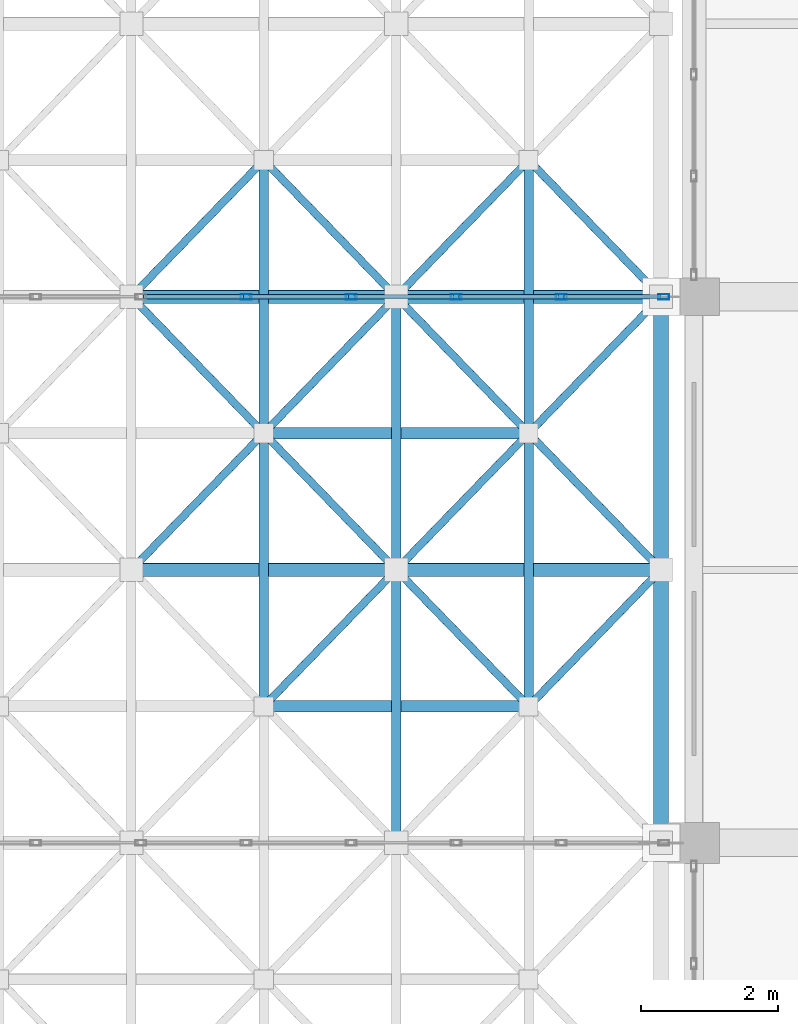
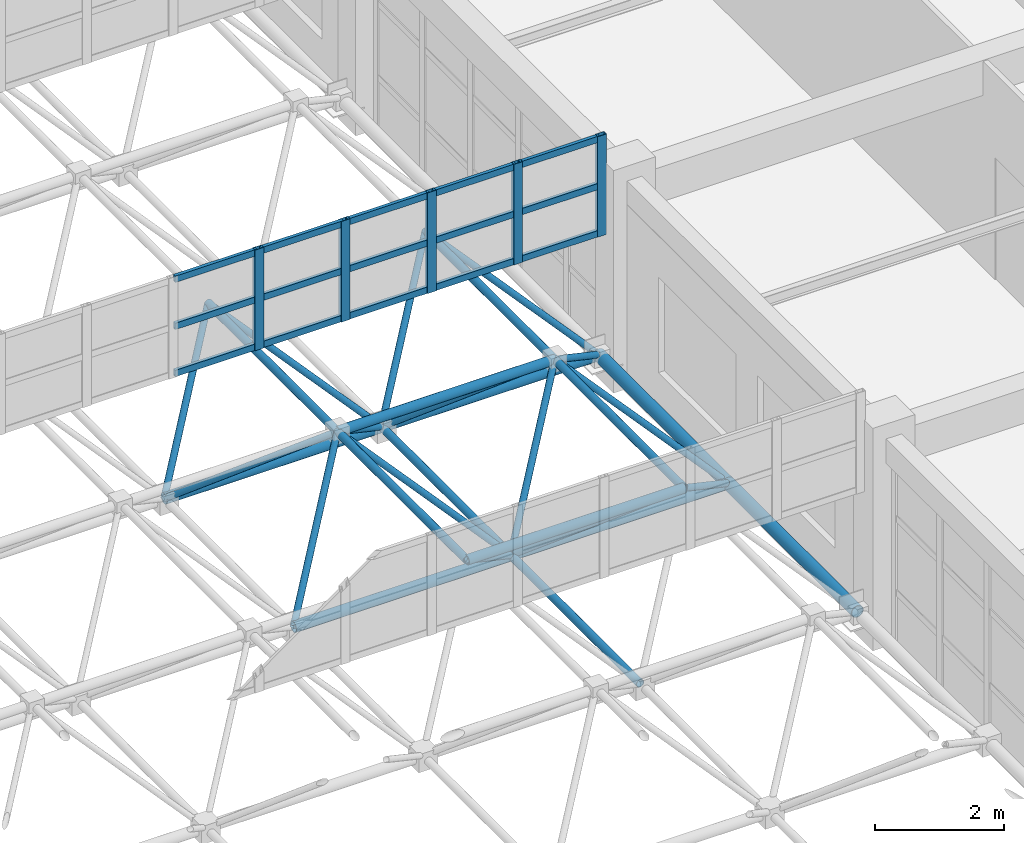
# One storey, part 62 of 195: 49 members, 1 element without a shape of its own.
"""IFC4 building model written with IfcOpenShell, lengths in metres."""

from ifc_helpers import new_model, si_unit, direction, frame, origin, origin_2d, place, context, subcontext, project, spatial, hollow_rectangle, hollow_circle, extrude, material, material_profile, profile_set, type_object, element, aggregate, save


model = new_model("IFC4")

# Units and contexts
model_context = context("Model", 3, precision=1e-05, world=origin(), true_north=direction((0.0, 1.0)))
body_context = subcontext(model_context, "Body", "Model", "MODEL_VIEW")
ifc_project = project(units=[si_unit("LENGTHUNIT", "METRE"), si_unit("AREAUNIT", "SQUARE_METRE"), si_unit("VOLUMEUNIT", "CUBIC_METRE"), si_unit("PLANEANGLEUNIT", "RADIAN"), si_unit("MASSUNIT", "GRAM", prefix="KILO")], contexts=[model_context])

# Site, building, storey
site_placement = place(None, origin())
site = spatial("IfcSite", under=ifc_project, at=site_placement, CompositionType="ELEMENT")
building_placement = place(site_placement, origin())
building = spatial("IfcBuilding", under=site, at=building_placement, Name="Kharva Crest Polytechnic", CompositionType="ELEMENT")
storey_placement = place(building_placement, frame((0.0, 0.0, 9.0)))
storey = spatial("IfcBuildingStorey", under=building, at=storey_placement, Name="L02", CompositionType="ELEMENT", Elevation=9.0)

# Curtain wall, members
ifc_material_1 = material(Name="Tempered insulated glass", Category="glass")
curtain_wall_type = type_object("IfcCurtainWallType", Name="CW-SYS-NORTHLIGHT", PredefinedType="USERDEFINED", material=ifc_material_1)
curtain_wall_placement = place(storey_placement, origin())
curtain_wall = element("IfcCurtainWall", 1, at=curtain_wall_placement, inside=storey, type_object=curtain_wall_type, Name="L02 Glazed Curtain Wall CW-194", ObjectType="CURTAIN WALL", PredefinedType="USERDEFINED")
ifc_material_2 = material(Name="Steel S355", Category="steel")
ifc_material_profile_1 = material_profile(ifc_material_2, hollow_rectangle(XDim=0.080078125, YDim=0.159912109375, WallThickness=0.0048828125, at=origin_2d()), Name="RHS 160X80X5.0")
ifc_profile_set_1 = profile_set([ifc_material_profile_1], Name="Steel S355")
member_type_1 = type_object("IfcMemberType", Name="CWM-RHS160X80", PredefinedType="MULLION", material=ifc_profile_set_1)
member_1_placement = place(storey_placement, frame((25.43994140625, 62.800048828125, 2.85009765625), z_axis=(0.0, 0.0, 1.0), x_axis=(0.0, 1.0, 0.0)))
member_1 = element("IfcMember", 2, at=member_1_placement, type_object=member_type_1, Name="CW-194 mullion 7", PredefinedType="MULLION", context=body_context, shape_type="SweptSolid", body=[
    extrude(hollow_rectangle(XDim=0.080078125, YDim=0.159912109375, WallThickness=0.0048828125, at=origin_2d()), origin(), (0.0, 0.0, 1.0), 1.89990234375),
])
member_2_placement = place(storey_placement, frame((26.97998046875, 62.800048828125, 2.85009765625), z_axis=(0.0, 0.0, 1.0), x_axis=(0.0, 1.0, 0.0)))
member_2 = element("IfcMember", 3, at=member_2_placement, type_object=member_type_1, Name="CW-194 mullion 8", PredefinedType="MULLION", context=body_context, shape_type="SweptSolid", body=[
    extrude(hollow_rectangle(XDim=0.080078125, YDim=0.159912109375, WallThickness=0.0048828125, at=origin_2d()), origin(), (0.0, 0.0, 1.0), 1.89990234375),
])
member_3_placement = place(storey_placement, frame((28.52001953125, 62.800048828125, 2.85009765625), z_axis=(0.0, 0.0, 1.0), x_axis=(0.0, 1.0, 0.0)))
member_3 = element("IfcMember", 4, at=member_3_placement, type_object=member_type_1, Name="CW-194 mullion 9", PredefinedType="MULLION", context=body_context, shape_type="SweptSolid", body=[
    extrude(hollow_rectangle(XDim=0.080078125, YDim=0.159912109375, WallThickness=0.0048828125, at=origin_2d()), origin(), (0.0, 0.0, 1.0), 1.89990234375),
])
member_4_placement = place(storey_placement, frame((30.06005859375, 62.800048828125, 2.85009765625), z_axis=(0.0, 0.0, 1.0), x_axis=(0.0, 1.0, 0.0)))
member_4 = element("IfcMember", 5, at=member_4_placement, type_object=member_type_1, Name="CW-194 mullion 10", PredefinedType="MULLION", context=body_context, shape_type="SweptSolid", body=[
    extrude(hollow_rectangle(XDim=0.080078125, YDim=0.159912109375, WallThickness=0.0048828125, at=origin_2d()), origin(), (0.0, 0.0, 1.0), 1.89990234375),
])
member_5_placement = place(storey_placement, frame((31.56005859375, 62.800048828125, 2.85009765625), z_axis=(0.0, 0.0, 1.0), x_axis=(0.0, 1.0, 0.0)))
member_5 = element("IfcMember", 6, at=member_5_placement, type_object=member_type_1, Name="CW-194 mullion 11", PredefinedType="MULLION", context=body_context, shape_type="SweptSolid", body=[
    extrude(hollow_rectangle(XDim=0.080078125, YDim=0.159912109375, WallThickness=0.0048828125, at=origin_2d()), origin(), (0.0, 0.0, 1.0), 1.89990234375),
])
ifc_material_profile_2 = material_profile(ifc_material_2, hollow_rectangle(XDim=0.06005859375, YDim=0.1201171875, WallThickness=0.00390625, at=origin_2d()), Name="RHS 120X60X4.0")
ifc_profile_set_2 = profile_set([ifc_material_profile_2], Name="Steel S355")
member_type_2 = type_object("IfcMemberType", Name="CWT-RHS120X60", PredefinedType="USERDEFINED", material=ifc_profile_set_2)
member_6_placement = place(storey_placement, frame((23.93994140625, 62.800048828125, 2.909912109375), z_axis=(1.0, 0.0, 0.0), x_axis=(0.0, 1.0, 0.0)))
member_6 = element("IfcMember", 7, at=member_6_placement, type_object=member_type_2, Name="CW-194 transom 6.1", ObjectType="TRANSOM", PredefinedType="USERDEFINED", context=body_context, shape_type="SweptSolid", body=[
    extrude(hollow_rectangle(XDim=0.06005859375, YDim=0.1201171875, WallThickness=0.00390625, at=origin_2d()), origin(), (0.0, 0.0, 1.0), 1.4599609375),
])
member_7_placement = place(storey_placement, frame((23.93994140625, 62.800048828125, 3.800048828125), z_axis=(1.0, 0.0, 0.0), x_axis=(0.0, 1.0, 0.0)))
member_7 = element("IfcMember", 8, at=member_7_placement, type_object=member_type_2, Name="CW-194 transom 6.2", ObjectType="TRANSOM", PredefinedType="USERDEFINED", context=body_context, shape_type="SweptSolid", body=[
    extrude(hollow_rectangle(XDim=0.06005859375, YDim=0.1201171875, WallThickness=0.00390625, at=origin_2d()), origin(), (0.0, 0.0, 1.0), 1.4599609375),
])
member_8_placement = place(storey_placement, frame((23.93994140625, 62.800048828125, 4.68994140625), z_axis=(1.0, 0.0, 0.0), x_axis=(0.0, 1.0, 0.0)))
member_8 = element("IfcMember", 9, at=member_8_placement, type_object=member_type_2, Name="CW-194 transom 6.3", ObjectType="TRANSOM", PredefinedType="USERDEFINED", context=body_context, shape_type="SweptSolid", body=[
    extrude(hollow_rectangle(XDim=0.06005859375, YDim=0.1201171875, WallThickness=0.00390625, at=origin_2d()), origin(), (0.0, 0.0, 1.0), 1.4599609375),
])
member_9_placement = place(storey_placement, frame((25.47998046875, 62.800048828125, 2.909912109375), z_axis=(1.0, 0.0, 0.0), x_axis=(0.0, 1.0, 0.0)))
member_9 = element("IfcMember", 10, at=member_9_placement, type_object=member_type_2, Name="CW-194 transom 7.1", ObjectType="TRANSOM", PredefinedType="USERDEFINED", context=body_context, shape_type="SweptSolid", body=[
    extrude(hollow_rectangle(XDim=0.06005859375, YDim=0.1201171875, WallThickness=0.00390625, at=origin_2d()), origin(), (0.0, 0.0, 1.0), 1.4599609375),
])
member_10_placement = place(storey_placement, frame((25.47998046875, 62.800048828125, 3.800048828125), z_axis=(1.0, 0.0, 0.0), x_axis=(0.0, 1.0, 0.0)))
member_10 = element("IfcMember", 11, at=member_10_placement, type_object=member_type_2, Name="CW-194 transom 7.2", ObjectType="TRANSOM", PredefinedType="USERDEFINED", context=body_context, shape_type="SweptSolid", body=[
    extrude(hollow_rectangle(XDim=0.06005859375, YDim=0.1201171875, WallThickness=0.00390625, at=origin_2d()), origin(), (0.0, 0.0, 1.0), 1.4599609375),
])
member_11_placement = place(storey_placement, frame((25.47998046875, 62.800048828125, 4.68994140625), z_axis=(1.0, 0.0, 0.0), x_axis=(0.0, 1.0, 0.0)))
member_11 = element("IfcMember", 12, at=member_11_placement, type_object=member_type_2, Name="CW-194 transom 7.3", ObjectType="TRANSOM", PredefinedType="USERDEFINED", context=body_context, shape_type="SweptSolid", body=[
    extrude(hollow_rectangle(XDim=0.06005859375, YDim=0.1201171875, WallThickness=0.00390625, at=origin_2d()), origin(), (0.0, 0.0, 1.0), 1.4599609375),
])
member_12_placement = place(storey_placement, frame((27.02001953125, 62.800048828125, 2.909912109375), z_axis=(1.0, 0.0, 0.0), x_axis=(0.0, 1.0, 0.0)))
member_12 = element("IfcMember", 13, at=member_12_placement, type_object=member_type_2, Name="CW-194 transom 8.1", ObjectType="TRANSOM", PredefinedType="USERDEFINED", context=body_context, shape_type="SweptSolid", body=[
    extrude(hollow_rectangle(XDim=0.06005859375, YDim=0.1201171875, WallThickness=0.00390625, at=origin_2d()), origin(), (0.0, 0.0, 1.0), 1.4599609375),
])
member_13_placement = place(storey_placement, frame((27.02001953125, 62.800048828125, 3.800048828125), z_axis=(1.0, 0.0, 0.0), x_axis=(0.0, 1.0, 0.0)))
member_13 = element("IfcMember", 14, at=member_13_placement, type_object=member_type_2, Name="CW-194 transom 8.2", ObjectType="TRANSOM", PredefinedType="USERDEFINED", context=body_context, shape_type="SweptSolid", body=[
    extrude(hollow_rectangle(XDim=0.06005859375, YDim=0.1201171875, WallThickness=0.00390625, at=origin_2d()), origin(), (0.0, 0.0, 1.0), 1.4599609375),
])
member_14_placement = place(storey_placement, frame((27.02001953125, 62.800048828125, 4.68994140625), z_axis=(1.0, 0.0, 0.0), x_axis=(0.0, 1.0, 0.0)))
member_14 = element("IfcMember", 15, at=member_14_placement, type_object=member_type_2, Name="CW-194 transom 8.3", ObjectType="TRANSOM", PredefinedType="USERDEFINED", context=body_context, shape_type="SweptSolid", body=[
    extrude(hollow_rectangle(XDim=0.06005859375, YDim=0.1201171875, WallThickness=0.00390625, at=origin_2d()), origin(), (0.0, 0.0, 1.0), 1.4599609375),
])
member_15_placement = place(storey_placement, frame((28.56005859375, 62.800048828125, 2.909912109375), z_axis=(1.0, 0.0, 0.0), x_axis=(0.0, 1.0, 0.0)))
member_15 = element("IfcMember", 16, at=member_15_placement, type_object=member_type_2, Name="CW-194 transom 9.1", ObjectType="TRANSOM", PredefinedType="USERDEFINED", context=body_context, shape_type="SweptSolid", body=[
    extrude(hollow_rectangle(XDim=0.06005859375, YDim=0.1201171875, WallThickness=0.00390625, at=origin_2d()), origin(), (0.0, 0.0, 1.0), 1.4599609375),
])
member_16_placement = place(storey_placement, frame((28.56005859375, 62.800048828125, 3.800048828125), z_axis=(1.0, 0.0, 0.0), x_axis=(0.0, 1.0, 0.0)))
member_16 = element("IfcMember", 17, at=member_16_placement, type_object=member_type_2, Name="CW-194 transom 9.2", ObjectType="TRANSOM", PredefinedType="USERDEFINED", context=body_context, shape_type="SweptSolid", body=[
    extrude(hollow_rectangle(XDim=0.06005859375, YDim=0.1201171875, WallThickness=0.00390625, at=origin_2d()), origin(), (0.0, 0.0, 1.0), 1.4599609375),
])
member_17_placement = place(storey_placement, frame((28.56005859375, 62.800048828125, 4.68994140625), z_axis=(1.0, 0.0, 0.0), x_axis=(0.0, 1.0, 0.0)))
member_17 = element("IfcMember", 18, at=member_17_placement, type_object=member_type_2, Name="CW-194 transom 9.3", ObjectType="TRANSOM", PredefinedType="USERDEFINED", context=body_context, shape_type="SweptSolid", body=[
    extrude(hollow_rectangle(XDim=0.06005859375, YDim=0.1201171875, WallThickness=0.00390625, at=origin_2d()), origin(), (0.0, 0.0, 1.0), 1.4599609375),
])
member_18_placement = place(storey_placement, frame((30.10009765625, 62.800048828125, 2.909912109375), z_axis=(1.0, 0.0, 0.0), x_axis=(0.0, 1.0, 0.0)))
member_18 = element("IfcMember", 19, at=member_18_placement, type_object=member_type_2, Name="CW-194 transom 10.1", ObjectType="TRANSOM", PredefinedType="USERDEFINED", context=body_context, shape_type="SweptSolid", body=[
    extrude(hollow_rectangle(XDim=0.06005859375, YDim=0.1201171875, WallThickness=0.00390625, at=origin_2d()), origin(), (0.0, 0.0, 1.0), 1.419921875),
])
member_19_placement = place(storey_placement, frame((30.10009765625, 62.800048828125, 3.800048828125), z_axis=(1.0, 0.0, 0.0), x_axis=(0.0, 1.0, 0.0)))
member_19 = element("IfcMember", 20, at=member_19_placement, type_object=member_type_2, Name="CW-194 transom 10.2", ObjectType="TRANSOM", PredefinedType="USERDEFINED", context=body_context, shape_type="SweptSolid", body=[
    extrude(hollow_rectangle(XDim=0.06005859375, YDim=0.1201171875, WallThickness=0.00390625, at=origin_2d()), origin(), (0.0, 0.0, 1.0), 1.419921875),
])
member_20_placement = place(storey_placement, frame((30.10009765625, 62.800048828125, 4.68994140625), z_axis=(1.0, 0.0, 0.0), x_axis=(0.0, 1.0, 0.0)))
member_20 = element("IfcMember", 21, at=member_20_placement, type_object=member_type_2, Name="CW-194 transom 10.3", ObjectType="TRANSOM", PredefinedType="USERDEFINED", context=body_context, shape_type="SweptSolid", body=[
    extrude(hollow_rectangle(XDim=0.06005859375, YDim=0.1201171875, WallThickness=0.00390625, at=origin_2d()), origin(), (0.0, 0.0, 1.0), 1.419921875),
])
aggregate(curtain_wall, [member_1, member_2, member_3, member_4, member_5, member_6, member_7, member_8, member_9, member_10, member_11, member_12, member_13, member_14, member_15, member_16, member_17, member_18, member_19, member_20])

# Members
ifc_material_profile_3 = material_profile(ifc_material_2, hollow_circle(Radius=0.05712890625, WallThickness=0.00634765625, at=origin_2d()), Name="CHS 114.3X6.3")
ifc_profile_set_3 = profile_set([ifc_material_profile_3], Name="Steel S355")
member_type_3 = type_object("IfcMemberType", Name="MEM-CHS114", PredefinedType="BRACE", material=ifc_profile_set_3)
for number, where, z_axis, x_axis, name in (
    (22, (27.639892578125, 58.800048828125, 0.60009765625), (-0.584843378742, -0.602949529154, 0.542595694449), (0.717802189577, -0.696247094528, 0.0), "Space Frame Web Diagonal 804"),
    (23, (23.760009765625, 58.800048828125, 0.60009765625), (0.584843378742, 0.602949529154, 0.542595694449), (-0.717802189577, 0.696247094528, 0.0), "Space Frame Web Diagonal 805"),
    (24, (27.639892578125, 58.800048828125, 0.60009765625), (-0.584843378742, 0.602949529154, 0.542595694449), (-0.717802189577, -0.696247094528, 0.0), "Space Frame Web Diagonal 806"),
    (25, (23.760009765625, 62.800048828125, 0.60009765625), (0.584843378742, -0.602949529154, 0.542595694449), (0.717802189577, 0.696247094528, 0.0), "Space Frame Web Diagonal 807"),
    (26, (27.639892578125, 62.800048828125, 0.60009765625), (-0.584843378742, -0.602949529154, 0.542595694449), (0.717802189577, -0.696247094528, 0.0), "Space Frame Web Diagonal 808"),
    (27, (23.760009765625, 62.800048828125, 0.60009765625), (0.584843378742, 0.602949529154, 0.542595694449), (-0.717802189577, 0.696247094528, 0.0), "Space Frame Web Diagonal 809"),
    (28, (27.639892578125, 62.800048828125, 0.60009765625), (-0.584843378742, 0.602949529154, 0.542595694449), (-0.717802189577, -0.696247094528, 0.0), "Space Frame Web Diagonal 810"),
    (29, (27.639892578125, 58.800048828125, 0.60009765625), (0.584891802813, -0.602923574763, 0.542572338032), (0.717758400015, 0.696292236929, 0.0), "Space Frame Web Diagonal 859"),
    (30, (31.52001953125, 58.800048828125, 0.60009765625), (-0.584843378742, -0.602949529154, 0.542595694449), (0.717802189577, -0.696247094528, 0.0), "Space Frame Web Diagonal 860"),
    (31, (27.639892578125, 58.800048828125, 0.60009765625), (0.584891802813, 0.602923574763, 0.542572338032), (-0.717758400015, 0.696292236929, 0.0), "Space Frame Web Diagonal 861"),
    (32, (31.52001953125, 58.800048828125, 0.60009765625), (-0.584843378742, 0.602949529154, 0.542595694449), (-0.717802189577, -0.696247094528, 0.0), "Space Frame Web Diagonal 862"),
    (33, (27.639892578125, 62.800048828125, 0.60009765625), (0.584891802813, -0.602923574763, 0.542572338032), (0.717758400015, 0.696292236929, 0.0), "Space Frame Web Diagonal 863"),
    (34, (31.52001953125, 62.800048828125, 0.60009765625), (-0.584843378742, -0.602949529154, 0.542595694449), (0.717802189577, -0.696247094528, 0.0), "Space Frame Web Diagonal 864"),
    (35, (27.639892578125, 62.800048828125, 0.60009765625), (0.584891802813, 0.602923574763, 0.542572338032), (-0.717758400015, 0.696292236929, 0.0), "Space Frame Web Diagonal 865"),
    (36, (31.52001953125, 62.800048828125, 0.60009765625), (-0.584843378742, 0.602949529154, 0.542595694449), (-0.717802189577, -0.696247094528, 0.0), "Space Frame Web Diagonal 866"),
):
    element("IfcMember", number, at=place(storey_placement, frame(where, z_axis=z_axis, x_axis=x_axis)), inside=storey, type_object=member_type_3, Name=name, PredefinedType="BRACE", context=body_context, shape_type="SweptSolid", body=[
        extrude(hollow_circle(Radius=0.05712890625, WallThickness=0.00634765625, at=origin_2d()), origin(), (0.0, 0.0, 1.0), 3.317138671875),
    ])
ifc_material_profile_4 = material_profile(ifc_material_2, hollow_circle(Radius=0.06982421875, WallThickness=0.00634765625, at=origin_2d()), Name="CHS 139.7X6.3")
ifc_profile_set_4 = profile_set([ifc_material_profile_4], Name="Steel S355")
member_type_4 = type_object("IfcMemberType", Name="MEM-CHS139", PredefinedType="CHORD", material=ifc_profile_set_4)
for number, where, z_axis, x_axis, name in (
    (37, (27.639892578125, 54.800048828125, 0.60009765625), (0.0, 1.0, 0.0), (-1.0, 0.0, 0.0), "Space Frame Bottom Chord Y 223"),
    (38, (27.639892578125, 58.800048828125, 0.60009765625), (0.0, 1.0, 0.0), (-1.0, 0.0, 0.0), "Space Frame Bottom Chord Y 224"),
    (39, (25.699951171875, 56.800048828125, 2.39990234375), (0.0, 1.0, 0.0), (-1.0, 0.0, 0.0), "Space Frame Top Chord Y 427"),
    (40, (25.699951171875, 60.800048828125, 2.39990234375), (0.0, 1.0, 0.0), (-1.0, 0.0, 0.0), "Space Frame Top Chord Y 428"),
    (41, (29.580078125, 56.800048828125, 2.39990234375), (0.0, 1.0, 0.0), (-1.0, 0.0, 0.0), "Space Frame Top Chord Y 440"),
    (42, (29.580078125, 60.800048828125, 2.39990234375), (0.0, 1.0, 0.0), (-1.0, 0.0, 0.0), "Space Frame Top Chord Y 441"),
):
    element("IfcMember", number, at=place(storey_placement, frame(where, z_axis=z_axis, x_axis=x_axis)), inside=storey, type_object=member_type_4, Name=name, PredefinedType="CHORD", context=body_context, shape_type="SweptSolid", body=[
        extrude(hollow_circle(Radius=0.06982421875, WallThickness=0.00634765625, at=origin_2d()), origin(), (0.0, 0.0, 1.0), 4.0),
    ])
ifc_material_profile_5 = material_profile(ifc_material_2, hollow_circle(Radius=0.084228515625, WallThickness=0.008056640625, at=origin_2d()), Name="CHS 168.3X8.0")
ifc_profile_set_5 = profile_set([ifc_material_profile_5], Name="Steel S355")
member_type_5 = type_object("IfcMemberType", Name="MEM-CHS168", PredefinedType="CHORD", material=ifc_profile_set_5)
for number, where, z_axis, x_axis, name in (
    (43, (25.699951171875, 56.800048828125, 2.39990234375), (1.0, 0.0, 0.0), (0.0, 1.0, 0.0), "Space Frame Top Chord X 281"),
    (44, (25.699951171875, 60.800048828125, 2.39990234375), (1.0, 0.0, 0.0), (0.0, 1.0, 0.0), "Space Frame Top Chord X 288"),
):
    element("IfcMember", number, at=place(storey_placement, frame(where, z_axis=z_axis, x_axis=x_axis)), inside=storey, type_object=member_type_5, Name=name, PredefinedType="CHORD", context=body_context, shape_type="SweptSolid", body=[
        extrude(hollow_circle(Radius=0.084228515625, WallThickness=0.008056640625, at=origin_2d()), origin(), (0.0, 0.0, 1.0), 3.880126953125),
    ])
ifc_material_profile_6 = material_profile(ifc_material_2, hollow_circle(Radius=0.096923828125, WallThickness=0.008056640625, at=origin_2d()), Name="CHS 193.7X8.0")
ifc_profile_set_6 = profile_set([ifc_material_profile_6], Name="Steel S355")
member_type_6 = type_object("IfcMemberType", Name="MEM-CHS193", PredefinedType="CHORD", material=ifc_profile_set_6)
member_21_placement = place(storey_placement, frame((23.760009765625, 58.800048828125, 0.60009765625), z_axis=(1.0, 0.0, 0.0), x_axis=(0.0, 1.0, 0.0)))
element("IfcMember", 45, at=member_21_placement, inside=storey, type_object=member_type_6, Name="Space Frame Bottom Chord X 47", PredefinedType="CHORD", context=body_context, shape_type="SweptSolid", body=[
    extrude(hollow_circle(Radius=0.096923828125, WallThickness=0.008056640625, at=origin_2d()), origin(), (0.0, 0.0, 1.0), 3.8798828125),
])
member_22_placement = place(storey_placement, frame((27.639892578125, 58.800048828125, 0.60009765625), z_axis=(1.0, 0.0, 0.0), x_axis=(0.0, 1.0, 0.0)))
element("IfcMember", 46, at=member_22_placement, inside=storey, type_object=member_type_6, Name="Space Frame Bottom Chord X 48", PredefinedType="CHORD", context=body_context, shape_type="SweptSolid", body=[
    extrude(hollow_circle(Radius=0.096923828125, WallThickness=0.008056640625, at=origin_2d()), origin(), (0.0, 0.0, 1.0), 3.880126953125),
])
member_23_placement = place(storey_placement, frame((23.760009765625, 62.800048828125, 0.60009765625), z_axis=(1.0, 0.0, 0.0), x_axis=(0.0, 1.0, 0.0)))
element("IfcMember", 47, at=member_23_placement, inside=storey, type_object=member_type_6, Name="Space Frame Bottom Chord X 55", PredefinedType="CHORD", context=body_context, shape_type="SweptSolid", body=[
    extrude(hollow_circle(Radius=0.096923828125, WallThickness=0.008056640625, at=origin_2d()), origin(), (0.0, 0.0, 1.0), 3.8798828125),
])
member_24_placement = place(storey_placement, frame((27.639892578125, 62.800048828125, 0.60009765625), z_axis=(1.0, 0.0, 0.0), x_axis=(0.0, 1.0, 0.0)))
element("IfcMember", 48, at=member_24_placement, inside=storey, type_object=member_type_6, Name="Space Frame Bottom Chord X 56", PredefinedType="CHORD", context=body_context, shape_type="SweptSolid", body=[
    extrude(hollow_circle(Radius=0.096923828125, WallThickness=0.008056640625, at=origin_2d()), origin(), (0.0, 0.0, 1.0), 3.880126953125),
])
ifc_material_profile_7 = material_profile(ifc_material_2, hollow_circle(Radius=0.109619140625, WallThickness=0.010009765625, at=origin_2d()), Name="CHS 219.1X10.0")
ifc_profile_set_7 = profile_set([ifc_material_profile_7], Name="Steel S355")
member_type_7 = type_object("IfcMemberType", Name="MEM-CHS219", PredefinedType="CHORD", material=ifc_profile_set_7)
for number, where, z_axis, x_axis, name in (
    (49, (31.52001953125, 54.800048828125, 0.60009765625), (0.0, 1.0, 0.0), (-1.0, 0.0, 0.0), "Space Frame Bottom Chord Y 237"),
    (50, (31.52001953125, 58.800048828125, 0.60009765625), (0.0, 1.0, 0.0), (-1.0, 0.0, 0.0), "Space Frame Bottom Chord Y 238"),
):
    element("IfcMember", number, at=place(storey_placement, frame(where, z_axis=z_axis, x_axis=x_axis)), inside=storey, type_object=member_type_7, Name=name, PredefinedType="CHORD", context=body_context, shape_type="SweptSolid", body=[
        extrude(hollow_circle(Radius=0.109619140625, WallThickness=0.010009765625, at=origin_2d()), origin(), (0.0, 0.0, 1.0), 4.0),
    ])

save(model, "model.ifc")
